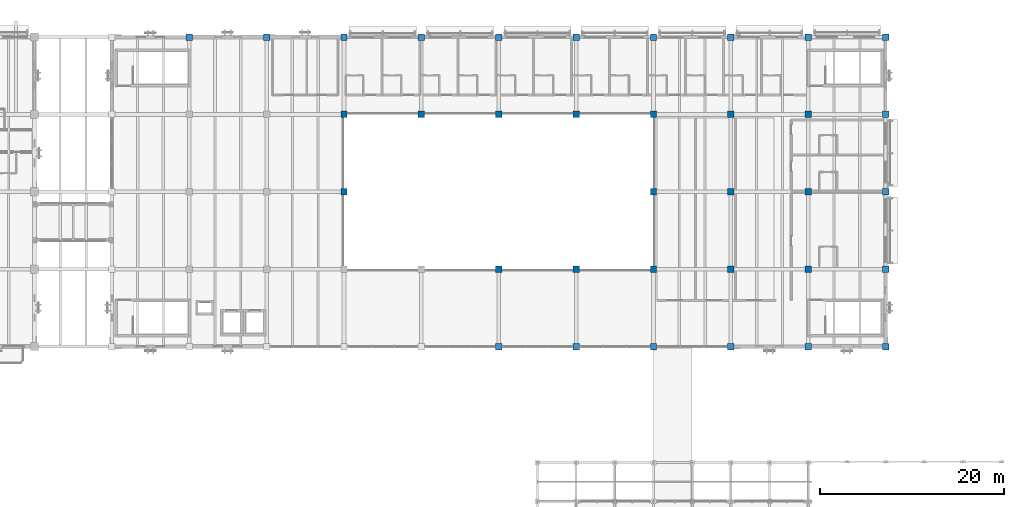
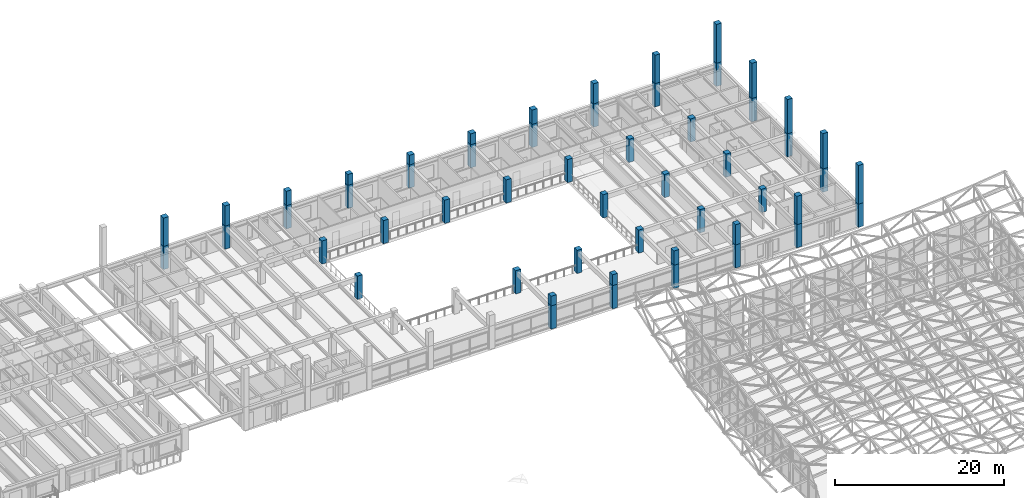
# One storey, part 6 of 123: 54 columns.
"""IFC4 building model written with IfcOpenShell, lengths in metres."""

import ifcopenshell
import ifcopenshell.guid

model = None  # the IFC model being written
_history = None  # IfcOwnerHistory: only IFC2X3 demands one
_inside = {}  # id of a spatial element -> (the spatial element, [elements in it])
_under = {}  # id of a project, library or spatial element -> (it, [spatial elements below it])
_declared = {}  # id of a project -> (the project, [libraries it declares])
_typed = {}  # id of a type object -> (the type object, [elements of that type])
_made_of = {}  # id of a material, layer set ... -> (it, [elements and type objects made of it])


def new_model(schema):
    """Start an empty IFC model of exactly this schema.

    Asked for "IFC4X3", IfcOpenShell would pick the latest addendum, in which some entities
    have other attributes; the version numbers below select the first issue.
    IFC2X3 requires an IfcOwnerHistory on every rooted entity: one is made here for all.
    """
    global model, _history
    if schema == "IFC4X3":
        model = ifcopenshell.file(schema_version=(4, 3, 0, 0))
    else:
        model = ifcopenshell.file(schema=schema)
    _inside.clear()
    _under.clear()
    _declared.clear()
    _typed.clear()
    _made_of.clear()
    _history = None
    if model.schema == "IFC2X3":
        org = make("IfcOrganization", Name="unknown")
        user = make(
            "IfcPersonAndOrganization",
            ThePerson=make("IfcPerson", FamilyName="unknown"),
            TheOrganization=org,
        )
        app = make(
            "IfcApplication",
            ApplicationDeveloper=org,
            Version="unknown",
            ApplicationFullName="unknown",
            ApplicationIdentifier="unknown",
        )
        _history = make(
            "IfcOwnerHistory",
            OwningUser=user,
            OwningApplication=app,
            ChangeAction="ADDED",
            CreationDate=0,
        )
    return model


def make(cls, **values):
    """One entity of the class cls with the attributes given. An attribute that is None is left unset."""
    return model.create_entity(
        cls, **{name: value for name, value in values.items() if value is not None}
    )


def rooted(cls, **values):
    """An entity with a GlobalId (a new one), such as an element, a storey or a relation."""
    return make(cls, GlobalId=ifcopenshell.guid.new(), OwnerHistory=_history, **values)


def si_unit(unit_type, name, prefix=None):
    """IfcSIUnit, for example si_unit("LENGTHUNIT", "METRE", prefix="MILLI")."""
    return make("IfcSIUnit", UnitType=unit_type, Prefix=prefix, Name=name)


def assignment(units):
    """IfcUnitAssignment: the units of a project."""
    return None if units is None else make("IfcUnitAssignment", Units=units)


def point(xyz):
    """IfcCartesianPoint."""
    return None if xyz is None else make("IfcCartesianPoint", Coordinates=xyz)


def direction(xyz):
    """IfcDirection."""
    return None if xyz is None else make("IfcDirection", DirectionRatios=xyz)


def frame(location, z_axis=None, x_axis=None):
    """IfcAxis2Placement3D, a coordinate frame: its origin and axes. An axis left out is left unset."""
    return make(
        "IfcAxis2Placement3D",
        Location=point(location),
        Axis=direction(z_axis),
        RefDirection=direction(x_axis),
    )


def frame_2d(location, x_axis=None):
    """IfcAxis2Placement2D, a coordinate frame in the plane: its origin and x axis."""
    return make(
        "IfcAxis2Placement2D", Location=point(location), RefDirection=direction(x_axis)
    )


def origin():
    """The frame at (0, 0, 0) with its axes left unset."""
    return frame((0.0, 0.0, 0.0))


def origin_2d():
    """The frame at (0, 0) in the plane with its x axis left unset."""
    return frame_2d((0.0, 0.0))


def place(relative_to, where):
    """IfcLocalPlacement: puts the frame where relative to a parent placement (None: the world)."""
    return make(
        "IfcLocalPlacement", PlacementRelTo=relative_to, RelativePlacement=where
    )


def context(
    kind, dimensions, precision=None, world=None, true_north=None, identifier=None
):
    """IfcGeometricRepresentationContext, for example the 3D "Model" context."""
    return make(
        "IfcGeometricRepresentationContext",
        ContextIdentifier=identifier,
        ContextType=kind,
        CoordinateSpaceDimension=dimensions,
        Precision=precision,
        WorldCoordinateSystem=world,
        TrueNorth=true_north,
    )


def subcontext(parent, identifier, kind, view, scale=None):
    """IfcGeometricRepresentationSubContext, for example "Body" below "Model"."""
    return make(
        "IfcGeometricRepresentationSubContext",
        ContextIdentifier=identifier,
        ContextType=kind,
        ParentContext=parent,
        TargetScale=scale,
        TargetView=view,
    )


def project(units=None, contexts=None):
    """IfcProject with its units and contexts."""
    return rooted(
        "IfcProject",
        Name="project",
        RepresentationContexts=contexts,
        UnitsInContext=assignment(units),
    )


def spatial(cls, under=None, at=None, **own):
    """A site, building, storey or space (cls), placed at a placement, below another one or the project."""
    s = rooted(cls, ObjectPlacement=at, **own)
    if under is not None:
        _under.setdefault(under.id(), (under, []))[1].append(s)
    return s


def profile(cls, at=None, kind="AREA", **sizes):
    """A parametric profile (cls). Its sizes go by their IFC names, for example OverallWidth=200.0."""
    return make(cls, ProfileType=kind, Position=at, **sizes)


def rectangle(**sizes):
    """IfcRectangleProfileDef."""
    return profile("IfcRectangleProfileDef", **sizes)


def extrude(swept, where, along, depth):
    """IfcExtrudedAreaSolid: the profile swept, set in the frame where, extruded along a direction by depth."""
    return make(
        "IfcExtrudedAreaSolid",
        SweptArea=swept,
        Position=where,
        ExtrudedDirection=direction(along),
        Depth=depth,
    )


def shape(context_of_items, identifier, shape_type, items):
    """IfcShapeRepresentation: the items that make up one representation, for example the "Body"."""
    return make(
        "IfcShapeRepresentation",
        ContextOfItems=context_of_items,
        RepresentationIdentifier=identifier,
        RepresentationType=shape_type,
        Items=items,
    )


def material(Name=None, Category=None):
    """IfcMaterial."""
    return make("IfcMaterial", Name=Name, Category=Category)


def material_profile(
    of_material, cross_section, Name=None, Category=None, Priority=None
):
    """IfcMaterialProfile: a cross section and its material."""
    return make(
        "IfcMaterialProfile",
        Name=Name,
        Material=of_material,
        Profile=cross_section,
        Priority=Priority,
        Category=Category,
    )


def profile_set(profiles, Name=None, composite=None):
    """IfcMaterialProfileSet."""
    return make(
        "IfcMaterialProfileSet",
        Name=Name,
        MaterialProfiles=profiles,
        CompositeProfile=composite,
    )


def made_of(thing, what):
    """Note that an element or type object is made of a material, layer set ...; save() writes the relation."""
    if what is not None:
        _made_of.setdefault(what.id(), (what, []))[1].append(thing)
    return thing


def type_object(cls, material=None, **own):
    """A type object (cls), such as IfcWallType, which elements share."""
    return made_of(rooted(cls, **own), material)


def element(
    cls,
    number,
    at=None,
    inside=None,
    cuts=None,
    type_object=None,
    material=None,
    context=None,
    identifier="Body",
    shape_type=None,
    held_by="IfcProductDefinitionShape",
    body=None,
    shapes=None,
    **own,
):
    """One element of the class cls, such as IfcWall. Its Tag is "e" and its number.

    at: its placement. inside: the storey or other place that contains it. cuts: it is an
    opening in that element (IfcRelVoidsElement). A single representation is given by context,
    identifier, shape_type and body (its items); several are given by shapes. held_by: the class
    of the entity that holds the representations. save() writes the other relations.
    """
    e = rooted(cls, Tag="e%d" % number, ObjectPlacement=at, **own)
    if body is not None:
        shapes = [shape(context, identifier, shape_type, body)]
    if shapes is not None:
        e.Representation = make(held_by, Representations=shapes)
    if inside is not None:
        _inside.setdefault(inside.id(), (inside, []))[1].append(e)
    if cuts is not None:
        rooted(
            "IfcRelVoidsElement", RelatingBuildingElement=cuts, RelatedOpeningElement=e
        )
    if type_object is not None:
        _typed.setdefault(type_object.id(), (type_object, []))[1].append(e)
    return made_of(e, material)


def aggregate(whole, parts):
    """IfcRelAggregates: a whole, such as a stair, and the parts it consists of."""
    return rooted("IfcRelAggregates", RelatingObject=whole, RelatedObjects=parts)


def save(model, path):
    """Write the relations noted so far, then the file.

    IfcRelAggregates (storeys below a building ...), IfcRelContainedInSpatialStructure (elements
    in a storey), IfcRelDefinesByType, IfcRelAssociatesMaterial and IfcRelDeclares: one each for
    every whole, place, type object, material and project.
    """
    for whole, parts in _under.values():
        aggregate(whole, parts)
    for where, things in _inside.values():
        rooted(
            "IfcRelContainedInSpatialStructure",
            RelatedElements=things,
            RelatingStructure=where,
        )
    for kind, things in _typed.values():
        rooted("IfcRelDefinesByType", RelatedObjects=things, RelatingType=kind)
    for what, things in _made_of.values():
        rooted("IfcRelAssociatesMaterial", RelatedObjects=things, RelatingMaterial=what)
    for by, libraries in _declared.values():
        rooted("IfcRelDeclares", RelatingContext=by, RelatedDefinitions=libraries)
    model.write(path)


model = new_model("IFC4")

# Units and contexts
model_context = context("Model", 3, precision=1e-05, world=origin(), true_north=direction((0.0, 1.0)))
body_context = subcontext(model_context, "Body", "Model", "MODEL_VIEW")
ifc_project = project(units=[si_unit("LENGTHUNIT", "METRE"), si_unit("AREAUNIT", "SQUARE_METRE"), si_unit("VOLUMEUNIT", "CUBIC_METRE"), si_unit("PLANEANGLEUNIT", "RADIAN"), si_unit("MASSUNIT", "GRAM", prefix="KILO")], contexts=[model_context])

# Site, building, storey
site_placement = place(None, origin())
site = spatial("IfcSite", under=ifc_project, at=site_placement, CompositionType="ELEMENT")
building_placement = place(site_placement, origin())
building = spatial("IfcBuilding", under=site, at=building_placement, Name="Cumbredor Promenade Congress Hotel", CompositionType="ELEMENT")
storey_placement = place(building_placement, frame((0.0, 0.0, 11.760009765625)))
storey = spatial("IfcBuildingStorey", under=building, at=storey_placement, Name="L03", CompositionType="ELEMENT", Elevation=11.760009765625)

# Columns
ifc_material = material(Name="Concrete C40/50", Category="concrete")
ifc_material_profile = material_profile(ifc_material, rectangle(XDim=0.699951171875, YDim=0.699951171875, at=origin_2d()), Name="RC 700x700")
ifc_profile_set = profile_set([ifc_material_profile], Name="Concrete C40/50")
column_type = type_object("IfcColumnType", Name="COL-RC-700", PredefinedType="COLUMN", material=ifc_profile_set)
for number, where, z_axis, x_axis, name in (
    (1, (100.800048828125, 117.60009765625, 0.0), (0.0, 0.0, 1.0), (1.0, 0.0, 0.0), "L03 Structural Column 113"),
    (2, (109.199951171875, 117.60009765625, 0.0), (0.0, 0.0, 1.0), (1.0, 0.0, 0.0), "L03 Structural Column 118"),
    (3, (117.60009765625, 100.800048828125, 0.0), (0.0, 0.0, 1.0), (1.0, 0.0, 0.0), "L03 Structural Column 121"),
    (4, (117.60009765625, 109.199951171875, 0.0), (0.0, 0.0, 1.0), (1.0, 0.0, 0.0), "L03 Structural Column 122"),
    (5, (117.60009765625, 117.60009765625, 0.0), (0.0, 0.0, 1.0), (1.0, 0.0, 0.0), "L03 Structural Column 123"),
    (6, (126.0, 109.199951171875, 0.0), (0.0, 0.0, 1.0), (1.0, 0.0, 0.0), "L03 Structural Column 126"),
    (7, (126.0, 117.60009765625, 0.0), (0.0, 0.0, 1.0), (1.0, 0.0, 0.0), "L03 Structural Column 127"),
    (8, (134.39990234375, 84.0, 0.0), (0.0, 0.0, 1.0), (1.0, 0.0, 0.0), "L03 Structural Column 128"),
    (9, (134.39990234375, 92.39990234375, 0.0), (0.0, 0.0, 1.0), (1.0, 0.0, 0.0), "L03 Structural Column 129"),
    (10, (134.39990234375, 109.199951171875, 0.0), (0.0, 0.0, 1.0), (1.0, 0.0, 0.0), "L03 Structural Column 130"),
    (11, (134.39990234375, 117.60009765625, 0.0), (0.0, 0.0, 1.0), (1.0, 0.0, 0.0), "L03 Structural Column 131"),
    (12, (142.800048828125, 84.0, 0.0), (0.0, 0.0, 1.0), (1.0, 0.0, 0.0), "L03 Structural Column 132"),
    (13, (142.800048828125, 92.39990234375, 0.0), (0.0, 0.0, 1.0), (1.0, 0.0, 0.0), "L03 Structural Column 133"),
    (14, (142.800048828125, 109.199951171875, 0.0), (0.0, 0.0, 1.0), (1.0, 0.0, 0.0), "L03 Structural Column 134"),
    (15, (142.800048828125, 117.60009765625, 0.0), (0.0, 0.0, 1.0), (1.0, 0.0, 0.0), "L03 Structural Column 135"),
    (16, (151.199951171875, 84.0, 0.0), (0.0, 0.0, 1.0), (1.0, 0.0, 0.0), "L03 Structural Column 136"),
    (17, (151.199951171875, 92.39990234375, 0.0), (0.0, 0.0, 1.0), (1.0, 0.0, 0.0), "L03 Structural Column 137"),
    (18, (151.199951171875, 100.800048828125, 0.0), (0.0, 0.0, 1.0), (1.0, 0.0, 0.0), "L03 Structural Column 138"),
    (19, (151.199951171875, 109.199951171875, 0.0), (0.0, 0.0, 1.0), (1.0, 0.0, 0.0), "L03 Structural Column 139"),
    (20, (151.199951171875, 117.60009765625, 0.0), (0.0, 0.0, 1.0), (1.0, 0.0, 0.0), "L03 Structural Column 140"),
    (21, (159.60009765625, 84.0, 0.0), (0.0, 0.0, 1.0), (1.0, 0.0, 0.0), "L03 Structural Column 141"),
    (22, (159.60009765625, 92.39990234375, 0.0), (0.0, 0.0, 1.0), (1.0, 0.0, 0.0), "L03 Structural Column 142"),
    (23, (159.60009765625, 100.800048828125, 0.0), (0.0, 0.0, 1.0), (1.0, 0.0, 0.0), "L03 Structural Column 143"),
    (24, (159.60009765625, 109.199951171875, 0.0), (0.0, 0.0, 1.0), (1.0, 0.0, 0.0), "L03 Structural Column 144"),
    (25, (159.60009765625, 117.60009765625, 0.0), (0.0, 0.0, 1.0), (1.0, 0.0, 0.0), "L03 Structural Column 145"),
    (26, (168.0, 84.0, 0.0), (0.0, 0.0, 1.0), (1.0, 0.0, 0.0), "L03 Structural Column 146"),
    (27, (168.0, 92.39990234375, 0.0), (0.0, 0.0, 1.0), (1.0, 0.0, 0.0), "L03 Structural Column 147"),
    (28, (168.0, 100.800048828125, 0.0), (0.0, 0.0, 1.0), (1.0, 0.0, 0.0), "L03 Structural Column 148"),
    (29, (168.0, 109.199951171875, 0.0), (0.0, 0.0, 1.0), (1.0, 0.0, 0.0), "L03 Structural Column 149"),
    (30, (168.0, 117.60009765625, 0.0), (0.0, 0.0, 1.0), (1.0, 0.0, 0.0), "L03 Structural Column 150"),
    (31, (176.39990234375, 84.0, 0.0), (0.0, 0.0, 1.0), (1.0, 0.0, 0.0), "L03 Structural Column 151"),
    (32, (176.39990234375, 92.39990234375, 0.0), (0.0, 0.0, 1.0), (1.0, 0.0, 0.0), "L03 Structural Column 152"),
    (33, (176.39990234375, 100.800048828125, 0.0), (0.0, 0.0, 1.0), (1.0, 0.0, 0.0), "L03 Structural Column 153"),
    (34, (176.39990234375, 109.199951171875, 0.0), (0.0, 0.0, 1.0), (1.0, 0.0, 0.0), "L03 Structural Column 154"),
    (35, (176.39990234375, 117.60009765625, 0.0), (0.0, 0.0, 1.0), (1.0, 0.0, 0.0), "L03 Structural Column 155"),
):
    element("IfcColumn", number, at=place(storey_placement, frame(where, z_axis=z_axis, x_axis=x_axis)), inside=storey, type_object=column_type, Name=name, PredefinedType="COLUMN", context=body_context, shape_type="SweptSolid", body=[
        extrude(rectangle(XDim=0.699951171875, YDim=0.699951171875, at=origin_2d()), origin(), (0.0, 0.0, 1.0), 3.360107421875),
    ])
column_1_placement = place(storey_placement, frame((100.800048828125, 117.60009765625, 3.360107421875), z_axis=(0.0, 0.0, 1.0), x_axis=(1.0, 0.0, 0.0)))
element("IfcColumn", 36, at=column_1_placement, inside=storey, type_object=column_type, Name="Pre-Function and Breakout Meeting Forum Clerestory Column Extension 07", PredefinedType="COLUMN", context=body_context, shape_type="SweptSolid", body=[
    extrude(rectangle(XDim=0.699951171875, YDim=0.699951171875, at=origin_2d()), origin(), (0.0, 0.0, 1.0), 4.0947265625),
])
column_2_placement = place(storey_placement, frame((109.199951171875, 117.60009765625, 3.360107421875), z_axis=(0.0, 0.0, 1.0), x_axis=(1.0, 0.0, 0.0)))
element("IfcColumn", 37, at=column_2_placement, inside=storey, type_object=column_type, Name="Pre-Function and Breakout Meeting Forum Clerestory Column Extension 09", PredefinedType="COLUMN", context=body_context, shape_type="SweptSolid", body=[
    extrude(rectangle(XDim=0.699951171875, YDim=0.699951171875, at=origin_2d()), origin(), (0.0, 0.0, 1.0), 2.915283203125),
])
column_3_placement = place(storey_placement, frame((117.60009765625, 117.60009765625, 3.360107421875), z_axis=(0.0, 0.0, 1.0), x_axis=(1.0, 0.0, 0.0)))
element("IfcColumn", 38, at=column_3_placement, inside=storey, type_object=column_type, Name="Pre-Function and Breakout Meeting Forum Clerestory Column Extension 11", PredefinedType="COLUMN", context=body_context, shape_type="SweptSolid", body=[
    extrude(rectangle(XDim=0.699951171875, YDim=0.699951171875, at=origin_2d()), origin(), (0.0, 0.0, 1.0), 2.072265625),
])
column_4_placement = place(storey_placement, frame((126.0, 117.60009765625, 3.360107421875), z_axis=(0.0, 0.0, 1.0), x_axis=(1.0, 0.0, 0.0)))
element("IfcColumn", 39, at=column_4_placement, inside=storey, type_object=column_type, Name="Pre-Function and Breakout Meeting Forum Clerestory Column Extension 13", PredefinedType="COLUMN", context=body_context, shape_type="SweptSolid", body=[
    extrude(rectangle(XDim=0.699951171875, YDim=0.699951171875, at=origin_2d()), origin(), (0.0, 0.0, 1.0), 1.566162109375),
])
for number, where, z_axis, x_axis, name in (
    (40, (134.39990234375, 84.0, 3.360107421875), (0.0, 0.0, 1.0), (1.0, 0.0, 0.0), "Pre-Function and Breakout Meeting Forum Clerestory Column Extension 14"),
    (41, (134.39990234375, 117.60009765625, 3.360107421875), (0.0, 0.0, 1.0), (1.0, 0.0, 0.0), "Pre-Function and Breakout Meeting Forum Clerestory Column Extension 15"),
):
    element("IfcColumn", number, at=place(storey_placement, frame(where, z_axis=z_axis, x_axis=x_axis)), inside=storey, type_object=column_type, Name=name, PredefinedType="COLUMN", context=body_context, shape_type="SweptSolid", body=[
        extrude(rectangle(XDim=0.699951171875, YDim=0.699951171875, at=origin_2d()), origin(), (0.0, 0.0, 1.0), 1.3974609375),
    ])
for number, where, z_axis, x_axis, name in (
    (42, (142.800048828125, 84.0, 3.360107421875), (0.0, 0.0, 1.0), (1.0, 0.0, 0.0), "Pre-Function and Breakout Meeting Forum Clerestory Column Extension 16"),
    (43, (142.800048828125, 117.60009765625, 3.360107421875), (0.0, 0.0, 1.0), (1.0, 0.0, 0.0), "Pre-Function and Breakout Meeting Forum Clerestory Column Extension 17"),
):
    element("IfcColumn", number, at=place(storey_placement, frame(where, z_axis=z_axis, x_axis=x_axis)), inside=storey, type_object=column_type, Name=name, PredefinedType="COLUMN", context=body_context, shape_type="SweptSolid", body=[
        extrude(rectangle(XDim=0.699951171875, YDim=0.699951171875, at=origin_2d()), origin(), (0.0, 0.0, 1.0), 1.566162109375),
    ])
for number, where, z_axis, x_axis, name in (
    (44, (151.199951171875, 84.0, 3.360107421875), (0.0, 0.0, 1.0), (1.0, 0.0, 0.0), "Pre-Function and Breakout Meeting Forum Clerestory Column Extension 18"),
    (45, (151.199951171875, 117.60009765625, 3.360107421875), (0.0, 0.0, 1.0), (1.0, 0.0, 0.0), "Pre-Function and Breakout Meeting Forum Clerestory Column Extension 19"),
):
    element("IfcColumn", number, at=place(storey_placement, frame(where, z_axis=z_axis, x_axis=x_axis)), inside=storey, type_object=column_type, Name=name, PredefinedType="COLUMN", context=body_context, shape_type="SweptSolid", body=[
        extrude(rectangle(XDim=0.699951171875, YDim=0.699951171875, at=origin_2d()), origin(), (0.0, 0.0, 1.0), 2.072265625),
    ])
for number, where, z_axis, x_axis, name in (
    (46, (159.60009765625, 84.0, 3.360107421875), (0.0, 0.0, 1.0), (1.0, 0.0, 0.0), "Pre-Function and Breakout Meeting Forum Clerestory Column Extension 20"),
    (47, (159.60009765625, 117.60009765625, 3.360107421875), (0.0, 0.0, 1.0), (1.0, 0.0, 0.0), "Pre-Function and Breakout Meeting Forum Clerestory Column Extension 21"),
):
    element("IfcColumn", number, at=place(storey_placement, frame(where, z_axis=z_axis, x_axis=x_axis)), inside=storey, type_object=column_type, Name=name, PredefinedType="COLUMN", context=body_context, shape_type="SweptSolid", body=[
        extrude(rectangle(XDim=0.699951171875, YDim=0.699951171875, at=origin_2d()), origin(), (0.0, 0.0, 1.0), 2.915283203125),
    ])
for number, where, z_axis, x_axis, name in (
    (48, (168.0, 84.0, 3.360107421875), (0.0, 0.0, 1.0), (1.0, 0.0, 0.0), "Pre-Function and Breakout Meeting Forum Clerestory Column Extension 22"),
    (49, (168.0, 117.60009765625, 3.360107421875), (0.0, 0.0, 1.0), (1.0, 0.0, 0.0), "Pre-Function and Breakout Meeting Forum Clerestory Column Extension 23"),
):
    element("IfcColumn", number, at=place(storey_placement, frame(where, z_axis=z_axis, x_axis=x_axis)), inside=storey, type_object=column_type, Name=name, PredefinedType="COLUMN", context=body_context, shape_type="SweptSolid", body=[
        extrude(rectangle(XDim=0.699951171875, YDim=0.699951171875, at=origin_2d()), origin(), (0.0, 0.0, 1.0), 4.0947265625),
    ])
column_5_placement = place(storey_placement, frame((176.39990234375, 84.0, 3.360107421875), z_axis=(0.0, 0.0, 1.0), x_axis=(1.0, 0.0, 0.0)))
element("IfcColumn", 50, at=column_5_placement, inside=storey, type_object=column_type, Name="Pre-Function and Breakout Meeting Forum Clerestory Column Extension 24", PredefinedType="COLUMN", context=body_context, shape_type="SweptSolid", body=[
    extrude(rectangle(XDim=0.699951171875, YDim=0.699951171875, at=origin_2d()), origin(), (0.0, 0.0, 1.0), 5.609375),
])
column_6_placement = place(storey_placement, frame((176.39990234375, 92.39990234375, 3.360107421875), z_axis=(0.0, 0.0, 1.0), x_axis=(1.0, 0.0, 0.0)))
element("IfcColumn", 51, at=column_6_placement, inside=storey, type_object=column_type, Name="Pre-Function and Breakout Meeting Forum Clerestory Column Extension 25", PredefinedType="COLUMN", context=body_context, shape_type="SweptSolid", body=[
    extrude(rectangle(XDim=0.699951171875, YDim=0.699951171875, at=origin_2d()), origin(), (0.0, 0.0, 1.0), 5.09912109375),
])
column_7_placement = place(storey_placement, frame((176.39990234375, 100.800048828125, 3.360107421875), z_axis=(0.0, 0.0, 1.0), x_axis=(1.0, 0.0, 0.0)))
element("IfcColumn", 52, at=column_7_placement, inside=storey, type_object=column_type, Name="Pre-Function and Breakout Meeting Forum Clerestory Column Extension 26", PredefinedType="COLUMN", context=body_context, shape_type="SweptSolid", body=[
    extrude(rectangle(XDim=0.699951171875, YDim=0.699951171875, at=origin_2d()), origin(), (0.0, 0.0, 1.0), 4.928955078125),
])
column_8_placement = place(storey_placement, frame((176.39990234375, 109.199951171875, 3.360107421875), z_axis=(0.0, 0.0, 1.0), x_axis=(1.0, 0.0, 0.0)))
element("IfcColumn", 53, at=column_8_placement, inside=storey, type_object=column_type, Name="Pre-Function and Breakout Meeting Forum Clerestory Column Extension 27", PredefinedType="COLUMN", context=body_context, shape_type="SweptSolid", body=[
    extrude(rectangle(XDim=0.699951171875, YDim=0.699951171875, at=origin_2d()), origin(), (0.0, 0.0, 1.0), 5.09912109375),
])
column_9_placement = place(storey_placement, frame((176.39990234375, 117.60009765625, 3.360107421875), z_axis=(0.0, 0.0, 1.0), x_axis=(1.0, 0.0, 0.0)))
element("IfcColumn", 54, at=column_9_placement, inside=storey, type_object=column_type, Name="Pre-Function and Breakout Meeting Forum Clerestory Column Extension 28", PredefinedType="COLUMN", context=body_context, shape_type="SweptSolid", body=[
    extrude(rectangle(XDim=0.699951171875, YDim=0.699951171875, at=origin_2d()), origin(), (0.0, 0.0, 1.0), 5.609375),
])

save(model, "model.ifc")
